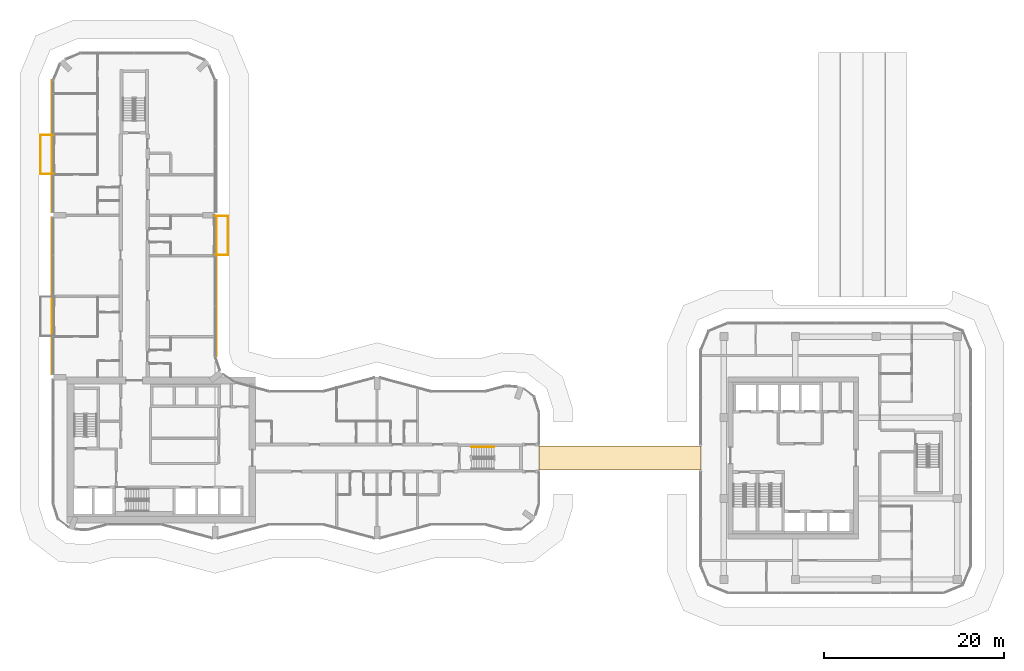
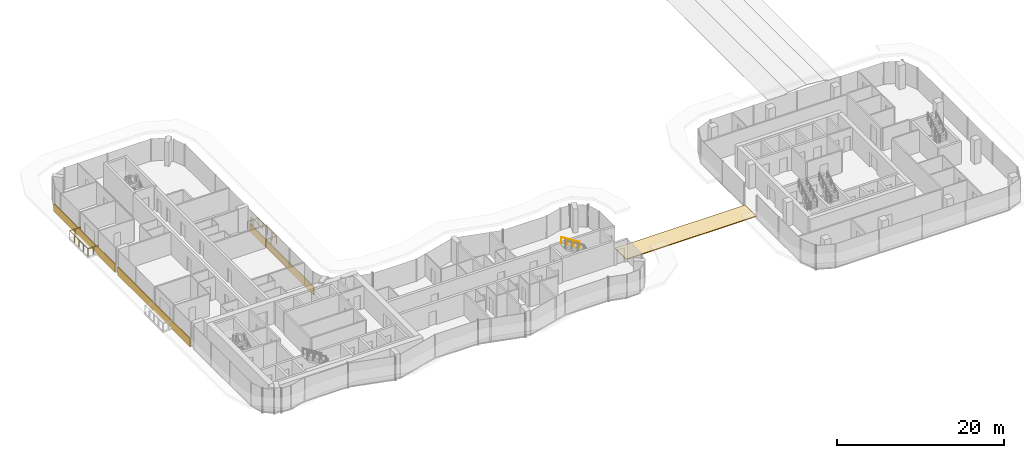
# One storey, part 22 of 24: 4 coverings, 3 railings.
"""IFC4 building model written with IfcOpenShell, lengths in metres."""

from ifc_helpers import new_model, si_unit, direction, frame, origin, origin_2d, place, context, subcontext, project, spatial, polyline, rectangle, circle, outline, extrude, material, layer, layer_set, type_object, element, save


model = new_model("IFC4")

# Units and contexts
model_context = context("Model", 3, precision=1e-05, world=origin(), true_north=direction((0.0, 1.0)))
body_context = subcontext(model_context, "Body", "Model", "MODEL_VIEW")
ifc_project = project(units=[si_unit("LENGTHUNIT", "METRE"), si_unit("AREAUNIT", "SQUARE_METRE"), si_unit("VOLUMEUNIT", "CUBIC_METRE"), si_unit("PLANEANGLEUNIT", "RADIAN"), si_unit("MASSUNIT", "GRAM", prefix="KILO")], contexts=[model_context])

# Site, building, storey
site_placement = place(None, origin())
site = spatial("IfcSite", under=ifc_project, at=site_placement, CompositionType="ELEMENT")
building_placement = place(site_placement, origin())
building = spatial("IfcBuilding", under=site, at=building_placement, Name="Plateau Cross Towers", CompositionType="ELEMENT")
storey_placement = place(building_placement, frame((0.0, 0.0, 30.300048828125)))
storey = spatial("IfcBuildingStorey", under=building, at=storey_placement, Name="L06", CompositionType="ELEMENT", Elevation=30.300048828125)

# Railings
ifc_material_1 = material(Name="Stainless steel and toughened glass", Category="steel")
railing_type_1 = type_object("IfcRailingType", Name="Glass balustrade guard 1100", PredefinedType="GUARDRAIL", material=ifc_material_1)
railing_1_placement = place(storey_placement, frame((0.050048828125, 40.570068359375, 0.0)))
element("IfcRailing", 1, at=railing_1_placement, inside=storey, type_object=railing_type_1, Name="Guard guard1", PredefinedType="GUARDRAIL", context=body_context, shape_type="SweptSolid", body=[
    extrude(circle(Radius=0.02392578125, at=origin_2d()), frame((0.0, 0.0, 1.076171875), z_axis=(-1.0, 0.0, 0.0), x_axis=(0.0, -1.0, 0.0)), (0.0, 0.0, 1.0), 1.47998046875),
    extrude(circle(Radius=0.02392578125, at=origin_2d()), frame((-1.47998046875, 0.0, 1.076171875), z_axis=(0.0, 1.0, 0.0), x_axis=(-1.0, 0.0, 0.0)), (0.0, 0.0, 1.0), 4.35986328125),
    extrude(circle(Radius=0.02392578125, at=origin_2d()), frame((-1.47998046875, 4.35986328125, 1.076171875), z_axis=(1.0, 0.0, 0.0), x_axis=(0.0, 1.0, 0.0)), (0.0, 0.0, 1.0), 1.47998046875),
    extrude(circle(Radius=0.02099609375, at=origin_2d()), origin(), (0.0, 0.0, 1.0), 1.052001953125),
    extrude(circle(Radius=0.02099609375, at=origin_2d()), frame((-0.739990234375, 0.0, 0.0)), (0.0, 0.0, 1.0), 1.052001953125),
    extrude(circle(Radius=0.02099609375, at=origin_2d()), frame((-1.47998046875, 0.0, 0.0)), (0.0, 0.0, 1.0), 1.052001953125),
    extrude(circle(Radius=0.02099609375, at=origin_2d()), frame((-1.47998046875, 1.08984375, 0.0)), (0.0, 0.0, 1.0), 1.052001953125),
    extrude(circle(Radius=0.02099609375, at=origin_2d()), frame((-1.47998046875, 2.179931640625, 0.0)), (0.0, 0.0, 1.0), 1.052001953125),
    extrude(circle(Radius=0.02099609375, at=origin_2d()), frame((-1.47998046875, 3.27001953125, 0.0)), (0.0, 0.0, 1.0), 1.052001953125),
    extrude(circle(Radius=0.02099609375, at=origin_2d()), frame((-1.47998046875, 4.35986328125, 0.0)), (0.0, 0.0, 1.0), 1.052001953125),
    extrude(circle(Radius=0.02099609375, at=origin_2d()), frame((-0.739990234375, 4.35986328125, 0.0)), (0.0, 0.0, 1.0), 1.052001953125),
    extrude(circle(Radius=0.02099609375, at=origin_2d()), frame((0.0, 4.35986328125, 0.0)), (0.0, 0.0, 1.0), 1.052001953125),
])
railing_2_placement = place(storey_placement, frame((17.949951171875, 35.929931640625, 0.0)))
element("IfcRailing", 2, at=railing_2_placement, inside=storey, type_object=railing_type_1, Name="Guard guard1", PredefinedType="GUARDRAIL", context=body_context, shape_type="SweptSolid", body=[
    extrude(circle(Radius=0.02392578125, at=origin_2d()), frame((0.0, 0.0, 1.076171875), z_axis=(1.0, 0.0, 0.0), x_axis=(0.0, 1.0, 0.0)), (0.0, 0.0, 1.0), 1.47998046875),
    extrude(circle(Radius=0.02392578125, at=origin_2d()), frame((1.47998046875, 0.0, 1.076171875), z_axis=(0.0, -1.0, 0.0), x_axis=(1.0, 0.0, 0.0)), (0.0, 0.0, 1.0), 4.35986328125),
    extrude(circle(Radius=0.02392578125, at=origin_2d()), frame((1.47998046875, -4.35986328125, 1.076171875), z_axis=(-1.0, 0.0, 0.0), x_axis=(0.0, -1.0, 0.0)), (0.0, 0.0, 1.0), 1.47998046875),
    extrude(circle(Radius=0.02099609375, at=origin_2d()), origin(), (0.0, 0.0, 1.0), 1.052001953125),
    extrude(circle(Radius=0.02099609375, at=origin_2d()), frame((0.739990234375, 0.0, 0.0)), (0.0, 0.0, 1.0), 1.052001953125),
    extrude(circle(Radius=0.02099609375, at=origin_2d()), frame((1.47998046875, 0.0, 0.0)), (0.0, 0.0, 1.0), 1.052001953125),
    extrude(circle(Radius=0.02099609375, at=origin_2d()), frame((1.47998046875, -1.08984375, 0.0)), (0.0, 0.0, 1.0), 1.052001953125),
    extrude(circle(Radius=0.02099609375, at=origin_2d()), frame((1.47998046875, -2.179931640625, 0.0)), (0.0, 0.0, 1.0), 1.052001953125),
    extrude(circle(Radius=0.02099609375, at=origin_2d()), frame((1.47998046875, -3.27001953125, 0.0)), (0.0, 0.0, 1.0), 1.052001953125),
    extrude(circle(Radius=0.02099609375, at=origin_2d()), frame((1.47998046875, -4.35986328125, 0.0)), (0.0, 0.0, 1.0), 1.052001953125),
    extrude(circle(Radius=0.02099609375, at=origin_2d()), frame((0.739990234375, -4.35986328125, 0.0)), (0.0, 0.0, 1.0), 1.052001953125),
    extrude(circle(Radius=0.02099609375, at=origin_2d()), frame((0.0, -4.35986328125, 0.0)), (0.0, 0.0, 1.0), 1.052001953125),
])
ifc_material_2 = material(Name="Black anodised aluminium", Category="aluminium")
railing_type_2 = type_object("IfcRailingType", Name="RL-HANDRAIL-900", PredefinedType="HANDRAIL", material=ifc_material_2)
railing_3_placement = place(storey_placement, frame((49.02001953125, 10.22509765625, 1.925048828125)))
element("IfcRailing", 3, at=railing_3_placement, inside=storey, type_object=railing_type_2, Name="L06 ES-E stair handrail 2", PredefinedType="HANDRAIL", context=body_context, shape_type="SweptSolid", body=[
    extrude(circle(Radius=0.02392578125, at=origin_2d()), frame((0.0, 0.0, 0.8759765625), z_axis=(-0.848007534815, 0.0, 0.529984170421), x_axis=(0.0, -1.0, 0.0)), (0.0, 0.0, 1.0), 2.9716796875),
    extrude(circle(Radius=0.02099609375, at=origin_2d()), origin(), (0.0, 0.0, 1.0), 0.851806640625),
    extrude(circle(Radius=0.02099609375, at=origin_2d()), frame((-0.840087890625, 0.0, 0.52490234375)), (0.0, 0.0, 1.0), 0.851806640625),
    extrude(circle(Radius=0.02099609375, at=origin_2d()), frame((-1.679931640625, 0.0, 1.050048828125)), (0.0, 0.0, 1.0), 0.851806640625),
    extrude(circle(Radius=0.02099609375, at=origin_2d()), frame((-2.52001953125, 0.0, 1.574951171875)), (0.0, 0.0, 1.0), 0.851806640625),
])

# Coverings
ifc_material_3 = material(Name="Bituminous roofing membrane")
ifc_layer_1 = layer(ifc_material_3, 0.1201171875)
ifc_layer_set_1 = layer_set([ifc_layer_1], Name="Bituminous roofing membrane")
covering_type_1 = type_object("IfcCoveringType", Name="Roof membrane build-up 120", PredefinedType="ROOFING", material=ifc_layer_set_1)
covering_1_placement = place(storey_placement, origin())
element("IfcCovering", 4, at=covering_1_placement, inside=storey, type_object=covering_type_1, Name="Podium bridge roof covering", PredefinedType="ROOFING", context=body_context, shape_type="SweptSolid", body=[
    extrude(outline(polyline([(54.0, 7.659912109375), (72.0, 7.659912109375), (72.0, 10.340087890625), (54.0, 10.340087890625), (54.0, 7.659912109375)])), origin(), (0.0, 0.0, 1.0), 0.119873046875),
])
ifc_material_4 = material(Name="Precast concrete cladding C40/50", Category="concrete")
ifc_layer_2 = layer(ifc_material_4, 0.10009765625)
ifc_layer_set_2 = layer_set([ifc_layer_2], Name="Precast concrete cladding C40/50")
covering_type_2 = type_object("IfcCoveringType", Name="Spandrel band cladding 100x1200", PredefinedType="CLADDING", material=ifc_layer_set_2)
covering_2_placement = place(storey_placement, frame((18.1201171875, 28.001220703125, -0.25), z_axis=(0.0, 0.0, 1.0), x_axis=(0.0, 1.0, 0.0)))
element("IfcCovering", 5, at=covering_2_placement, inside=storey, type_object=covering_type_2, Name="Spandrel band", PredefinedType="CLADDING", context=body_context, shape_type="SweptSolid", body=[
    extrude(rectangle(XDim=15.397705078125, YDim=0.10009765625, at=origin_2d()), origin(), (0.0, 0.0, 1.0), 1.199951171875),
])
covering_3_placement = place(storey_placement, frame((-0.1201171875, 43.64990234375, -0.25), z_axis=(0.0, 0.0, 1.0), x_axis=(0.0, -1.0, 0.0)))
element("IfcCovering", 6, at=covering_3_placement, inside=storey, type_object=covering_type_2, Name="Spandrel band", PredefinedType="CLADDING", context=body_context, shape_type="SweptSolid", body=[
    extrude(rectangle(XDim=14.699951171875, YDim=0.10009765625, at=origin_2d()), origin(), (0.0, 0.0, 1.0), 1.199951171875),
])
covering_4_placement = place(storey_placement, frame((-0.1201171875, 27.0, -0.25), z_axis=(0.0, 0.0, 1.0), x_axis=(0.0, -1.0, 0.0)))
element("IfcCovering", 7, at=covering_4_placement, inside=storey, type_object=covering_type_2, Name="Spandrel band", PredefinedType="CLADDING", context=body_context, shape_type="SweptSolid", body=[
    extrude(rectangle(XDim=17.39990234375, YDim=0.10009765625, at=origin_2d()), origin(), (0.0, 0.0, 1.0), 1.199951171875),
])

save(model, "model.ifc")
